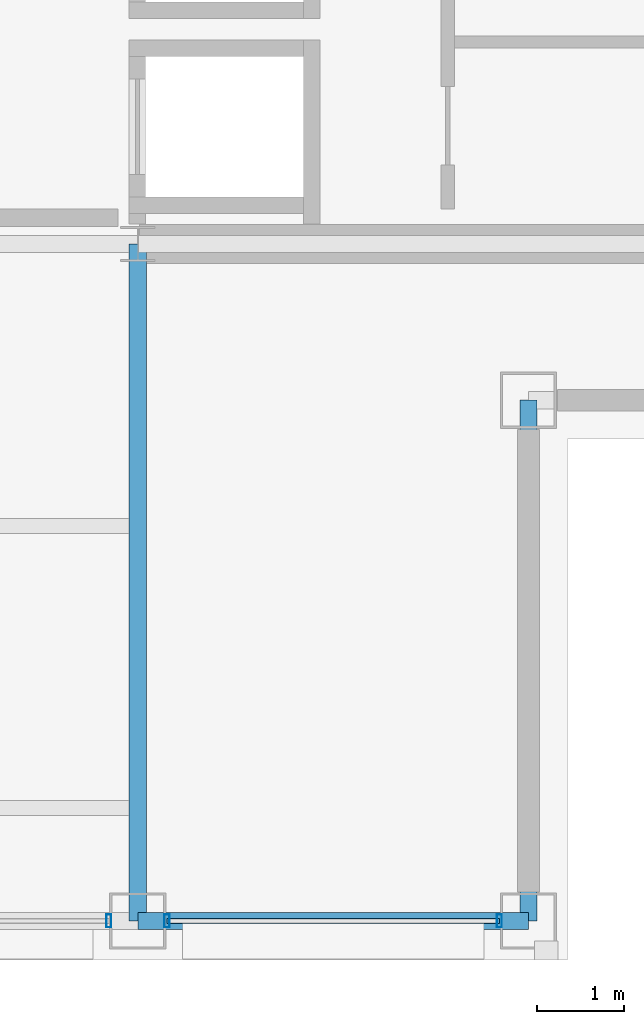
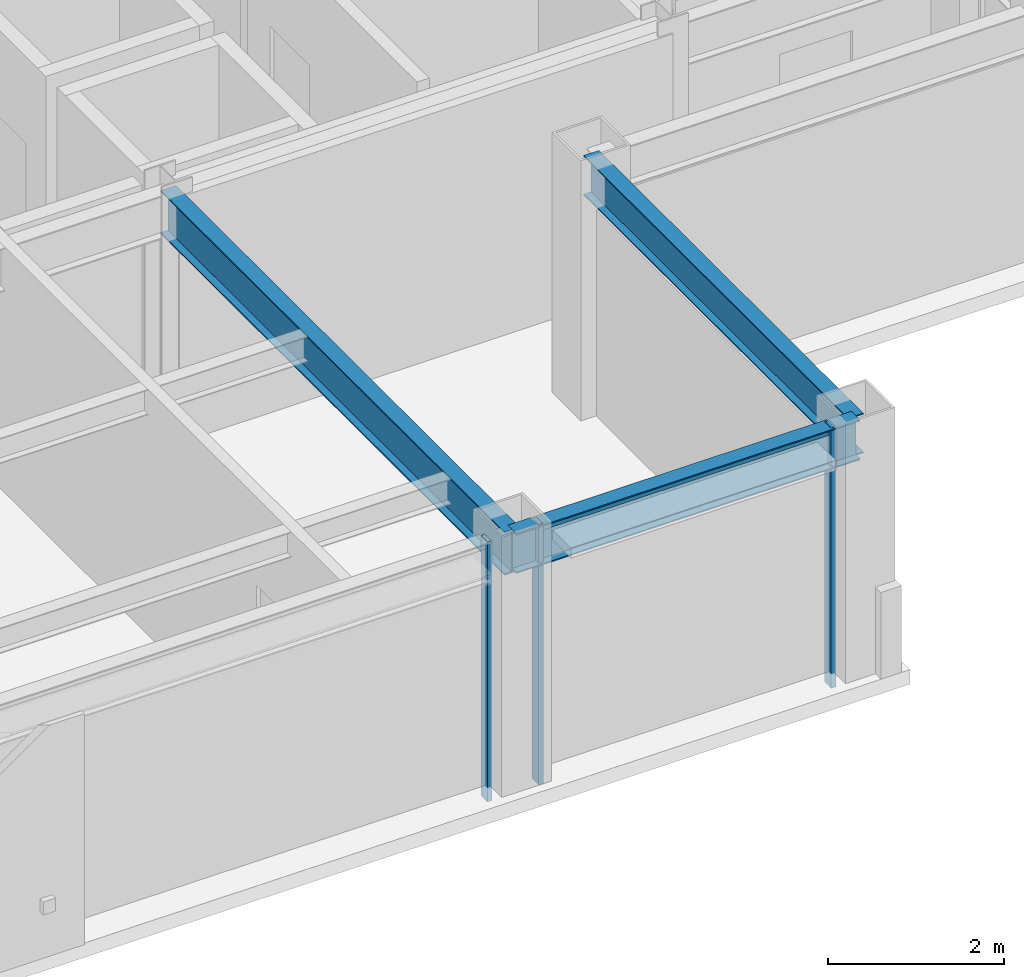
# One storey, part 5 of 24: 4 members, 3 beams, 2 elements without a shape of their own.
"""IFC4 building model written with IfcOpenShell, lengths in metres."""

from ifc_helpers import new_model, si_unit, direction, frame, origin, origin_2d, place, context, subcontext, project, spatial, hollow_rectangle, i_section, extrude, material, layer, layer_set, material_profile, profile_set, type_object, element, aggregate, save


model = new_model("IFC4")

# Units and contexts
model_context = context("Model", 3, precision=1e-05, world=origin(), true_north=direction((0.0, 1.0)))
body_context = subcontext(model_context, "Body", "Model", "MODEL_VIEW")
ifc_project = project(units=[si_unit("LENGTHUNIT", "METRE"), si_unit("AREAUNIT", "SQUARE_METRE"), si_unit("VOLUMEUNIT", "CUBIC_METRE"), si_unit("PLANEANGLEUNIT", "RADIAN"), si_unit("MASSUNIT", "GRAM", prefix="KILO")], contexts=[model_context])

# Site, building, storey
site_placement = place(None, origin())
site = spatial("IfcSite", under=ifc_project, at=site_placement, CompositionType="ELEMENT")
building_placement = place(site_placement, origin())
building = spatial("IfcBuilding", under=site, at=building_placement, Name="Brelmoor Portico Tower", CompositionType="ELEMENT")
storey_placement = place(building_placement, frame((0.0, 0.0, 232.800048828125)))
storey = spatial("IfcBuildingStorey", under=building, at=storey_placement, Name="L61", CompositionType="ELEMENT", Elevation=232.800048828125)

# Beams
ifc_material_1 = material(Name="Steel Q355B", Category="steel")
ifc_material_profile_1 = material_profile(ifc_material_1, i_section(OverallWidth=0.199951171875, OverallDepth=0.60009765625, WebThickness=0.010986328125, FlangeThickness=0.01708984375, at=origin_2d()), Name="HN 600x200x11x17")
ifc_profile_set_1 = profile_set([ifc_material_profile_1], Name="Steel Q355B")
beam_type_1 = type_object("IfcBeamType", Name="BM-PG-600", PredefinedType="BEAM", material=ifc_profile_set_1)
beam_1_placement = place(storey_placement, frame((8.050048828125, -17.550048828125, 3.099853515625), z_axis=(0.0, 1.0, 0.0), x_axis=(-1.0, 0.0, 0.0)))
element("IfcBeam", 1, at=beam_1_placement, inside=storey, type_object=beam_type_1, Name="L61 Primary Floor Girder PG-06", PredefinedType="BEAM", context=body_context, shape_type="SweptSolid", body=[
    extrude(i_section(OverallWidth=0.199951171875, OverallDepth=0.60009765625, WebThickness=0.010986328125, FlangeThickness=0.01708984375, at=origin_2d()), origin(), (0.0, 0.0, 1.0), 7.800048828125),
])
ifc_material_profile_2 = material_profile(ifc_material_1, i_section(OverallWidth=0.199951171875, OverallDepth=0.550048828125, WebThickness=0.010009765625, FlangeThickness=0.01611328125, at=origin_2d()), Name="HN 550x200x10x16")
ifc_profile_set_2 = profile_set([ifc_material_profile_2], Name="Steel Q355B")
beam_type_2 = type_object("IfcBeamType", Name="BM-SP-550", PredefinedType="SPANDREL", material=ifc_profile_set_2)
beam_2_placement = place(storey_placement, frame((8.050048828125, -17.550048828125, 3.125), z_axis=(1.0, 0.0, 0.0), x_axis=(0.0, 1.0, 0.0)))
element("IfcBeam", 2, at=beam_2_placement, inside=storey, type_object=beam_type_2, Name="L61 Perimeter Spandrel Beam SP-03", PredefinedType="SPANDREL", context=body_context, shape_type="SweptSolid", body=[
    extrude(i_section(OverallWidth=0.199951171875, OverallDepth=0.550048828125, WebThickness=0.010009765625, FlangeThickness=0.01611328125, at=origin_2d()), origin(), (0.0, 0.0, 1.0), 4.5),
])
beam_3_placement = place(storey_placement, frame((12.550048828125, -17.550048828125, 3.125), z_axis=(0.0, 1.0, 0.0), x_axis=(-1.0, 0.0, 0.0)))
element("IfcBeam", 3, at=beam_3_placement, inside=storey, type_object=beam_type_2, Name="L61 Perimeter Spandrel Beam SP-16", PredefinedType="SPANDREL", context=body_context, shape_type="SweptSolid", body=[
    extrude(i_section(OverallWidth=0.199951171875, OverallDepth=0.550048828125, WebThickness=0.010009765625, FlangeThickness=0.01611328125, at=origin_2d()), origin(), (0.0, 0.0, 1.0), 6.0),
])

# Curtain wall, member
ifc_material_2 = material(Name="Anodised Aluminium Alloy 6063-T6", Category="aluminium")
ifc_layer = layer(ifc_material_2, 0.179931640625)
ifc_layer_set = layer_set([ifc_layer], Name="Anodised Aluminium Alloy 6063-T6")
curtain_wall_type = type_object("IfcCurtainWallType", Name="CW-TOWER-Z4-XB", PredefinedType="NOTDEFINED", material=ifc_layer_set)
curtain_wall_1_placement = place(storey_placement, origin())
curtain_wall_1 = element("IfcCurtainWall", 4, at=curtain_wall_1_placement, inside=storey, type_object=curtain_wall_type, Name="L61 Curtain Wall CW-L61-01-2", PredefinedType="NOTDEFINED")
ifc_material_profile_3 = material_profile(ifc_material_2, hollow_rectangle(XDim=0.06005859375, YDim=0.14990234375, WallThickness=0.00390625, at=origin_2d()), Name="ALU MULLION 60x150")
ifc_profile_set_3 = profile_set([ifc_material_profile_3], Name="Anodised Aluminium Alloy 6063-T6")
member_type_1 = type_object("IfcMemberType", Name="MB-CW-MULL-150", PredefinedType="MULLION", material=ifc_profile_set_3)
member_1_placement = place(storey_placement, frame((7.715087890625, -17.550048828125, -0.199951171875), z_axis=(0.0, 0.0, 1.0), x_axis=(1.0, 0.0, 0.0)))
member_1 = element("IfcMember", 5, at=member_1_placement, type_object=member_type_1, Name="CW-L61-01-2 Mullion 01", PredefinedType="MULLION", context=body_context, shape_type="SweptSolid", body=[
    extrude(hollow_rectangle(XDim=0.06005859375, YDim=0.14990234375, WallThickness=0.00390625, at=origin_2d()), origin(), (0.0, 0.0, 1.0), 3.599853515625),
])
aggregate(curtain_wall_1, [member_1])

# Curtain wall, members
curtain_wall_2_placement = place(storey_placement, origin())
curtain_wall_2 = element("IfcCurtainWall", 6, at=curtain_wall_2_placement, inside=storey, type_object=curtain_wall_type, Name="L61 Curtain Wall CW-L61-01-3", PredefinedType="NOTDEFINED")
member_2_placement = place(storey_placement, frame((8.385009765625, -17.550048828125, -0.199951171875), z_axis=(0.0, 0.0, 1.0), x_axis=(1.0, 0.0, 0.0)))
member_2 = element("IfcMember", 7, at=member_2_placement, type_object=member_type_1, Name="CW-L61-01-3 Mullion 00", PredefinedType="MULLION", context=body_context, shape_type="SweptSolid", body=[
    extrude(hollow_rectangle(XDim=0.06005859375, YDim=0.14990234375, WallThickness=0.00390625, at=origin_2d()), origin(), (0.0, 0.0, 1.0), 3.599853515625),
])
member_3_placement = place(storey_placement, frame((12.215087890625, -17.550048828125, -0.199951171875), z_axis=(0.0, 0.0, 1.0), x_axis=(1.0, 0.0, 0.0)))
member_3 = element("IfcMember", 8, at=member_3_placement, type_object=member_type_1, Name="CW-L61-01-3 Mullion 01", PredefinedType="MULLION", context=body_context, shape_type="SweptSolid", body=[
    extrude(hollow_rectangle(XDim=0.06005859375, YDim=0.14990234375, WallThickness=0.00390625, at=origin_2d()), origin(), (0.0, 0.0, 1.0), 3.599853515625),
])
ifc_material_profile_4 = material_profile(ifc_material_2, hollow_rectangle(XDim=0.06005859375, YDim=0.125, WallThickness=0.00341796875, at=origin_2d()), Name="ALU TRANSOM 60x125")
ifc_profile_set_4 = profile_set([ifc_material_profile_4], Name="Anodised Aluminium Alloy 6063-T6")
member_type_2 = type_object("IfcMemberType", Name="MB-CW-TRAN-125", PredefinedType="USERDEFINED", material=ifc_profile_set_4)
member_4_placement = place(storey_placement, frame((8.385009765625, -17.550048828125, 3.33740234375), z_axis=(1.0, 0.0, 0.0), x_axis=(0.0, 1.0, 0.0)))
member_4 = element("IfcMember", 9, at=member_4_placement, type_object=member_type_2, Name="CW-L61-01-3 Transom 1-00", ObjectType="TRANSOM", PredefinedType="USERDEFINED", context=body_context, shape_type="SweptSolid", body=[
    extrude(hollow_rectangle(XDim=0.06005859375, YDim=0.125, WallThickness=0.00341796875, at=origin_2d()), origin(), (0.0, 0.0, 1.0), 3.830078125),
])
aggregate(curtain_wall_2, [member_2, member_3, member_4])

save(model, "model.ifc")
